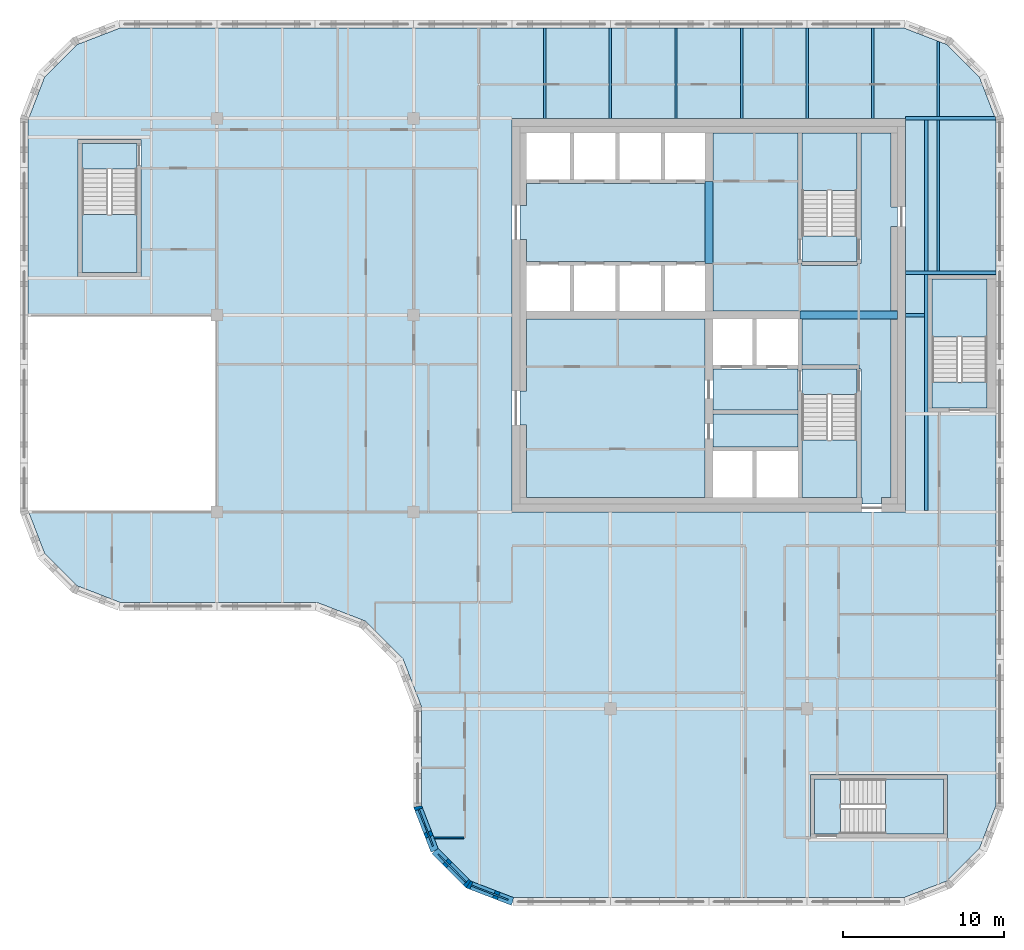
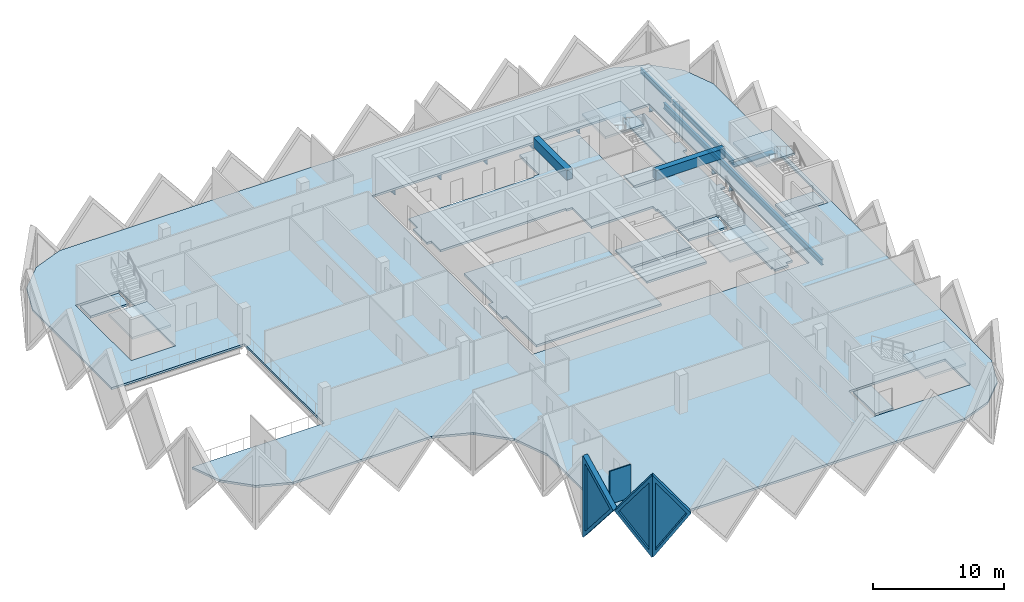
# One storey, part 2 of 11: 15 slabs, 14 beams, 4 walls, 3 plates, 3 openings, 5 elements without a shape of their own.
"""IFC4 building model written with IfcOpenShell, lengths in metres."""

from ifc_helpers import new_model, si_unit, direction, frame, frame_2d, origin, origin_2d, place, context, subcontext, project, spatial, polyline, rectangle, i_section, outline, extrude, faceted_brep, source, transform, mapped, material, layer, layer_set, material_profile, profile_set, type_object, element, fill, aggregate, save


model = new_model("IFC4")

# Units and contexts
model_context = context("Model", 3, precision=1e-05, world=origin(), true_north=direction((0.0, 1.0)))
body_context = subcontext(model_context, "Body", "Model", "MODEL_VIEW")
ifc_project = project(units=[si_unit("LENGTHUNIT", "METRE"), si_unit("AREAUNIT", "SQUARE_METRE"), si_unit("VOLUMEUNIT", "CUBIC_METRE"), si_unit("PLANEANGLEUNIT", "RADIAN"), si_unit("MASSUNIT", "GRAM", prefix="KILO")], contexts=[model_context])

# Site, building, storey
site_placement = place(None, origin())
site = spatial("IfcSite", under=ifc_project, at=site_placement, CompositionType="ELEMENT")
building_placement = place(site_placement, origin())
building = spatial("IfcBuilding", under=site, at=building_placement, Name="Tessera Gate Towers", CompositionType="ELEMENT")
storey_placement = place(building_placement, frame((0.0, 0.0, 201.699951171875)))
storey = spatial("IfcBuildingStorey", under=building, at=storey_placement, Name="L50", CompositionType="ELEMENT", Elevation=201.699951171875)

# Beams
ifc_material_1 = material(Name="Concrete C50/60", Category="concrete")
ifc_material_profile_1 = material_profile(ifc_material_1, rectangle(XDim=0.5, YDim=0.89990234375, at=origin_2d()), Name="RC 500x900")
ifc_profile_set_1 = profile_set([ifc_material_profile_1], Name="Concrete C50/60")
beam_type_1 = type_object("IfcBeamType", Name="COUPLING BEAM 500x900 C50/60", PredefinedType="BEAM", material=ifc_profile_set_1)
beam_1_placement = place(storey_placement, frame((48.35009765625, 36.60009765625, 3.150146484375), z_axis=(1.0, 0.0, 0.0), x_axis=(0.0, 1.0, 0.0)))
element("IfcBeam", 1, at=beam_1_placement, inside=storey, type_object=beam_type_1, Name="L50 coupling beam 1", PredefinedType="BEAM", context=body_context, shape_type="SweptSolid", body=[
    extrude(rectangle(XDim=0.5, YDim=0.89990234375, at=origin_2d()), origin(), (0.0, 0.0, 1.0), 6.0498046875),
])
beam_2_placement = place(storey_placement, frame((42.699951171875, 39.800048828125, 3.150146484375), z_axis=(0.0, 1.0, 0.0), x_axis=(-1.0, 0.0, 0.0)))
element("IfcBeam", 2, at=beam_2_placement, inside=storey, type_object=beam_type_1, Name="L50 coupling beam 2", PredefinedType="BEAM", context=body_context, shape_type="SweptSolid", body=[
    extrude(rectangle(XDim=0.5, YDim=0.89990234375, at=origin_2d()), origin(), (0.0, 0.0, 1.0), 5.099853515625),
])
ifc_material_2 = material(Name="Steel 350W", Category="steel")
ifc_material_profile_2 = material_profile(ifc_material_2, i_section(OverallWidth=0.208984375, OverallDepth=0.532958984375, WebThickness=0.01025390625, FlangeThickness=0.015625, at=origin_2d()), Name="W530x92")
ifc_profile_set_2 = profile_set([ifc_material_profile_2], Name="Steel 350W")
beam_type_2 = type_object("IfcBeamType", Name="FLOOR GIRDER W530x92", PredefinedType="BEAM", material=ifc_profile_set_2)
beam_3_placement = place(storey_placement, frame((54.89892578125, 36.60009765625, -0.466552734375), z_axis=(1.0, 0.0, 0.0), x_axis=(0.0, 1.0, 0.0)))
element("IfcBeam", 3, at=beam_3_placement, inside=storey, type_object=beam_type_2, Name="T1-GD-L50-5266", PredefinedType="BEAM", context=body_context, shape_type="SweptSolid", body=[
    extrude(i_section(OverallWidth=0.208984375, OverallDepth=0.532958984375, WebThickness=0.01025390625, FlangeThickness=0.015625, at=origin_2d()), origin(), (0.0, 0.0, 1.0), 1.176513671875),
])
beam_4_placement = place(storey_placement, frame((54.90087890625, 48.800048828125, -0.466552734375), z_axis=(1.0, 0.0, 0.0), x_axis=(0.0, 1.0, 0.0)))
element("IfcBeam", 4, at=beam_4_placement, inside=storey, type_object=beam_type_2, Name="T1-GD-L50-5270", PredefinedType="BEAM", context=body_context, shape_type="SweptSolid", body=[
    extrude(i_section(OverallWidth=0.208984375, OverallDepth=0.532958984375, WebThickness=0.01025390625, FlangeThickness=0.015625, at=origin_2d()), origin(), (0.0, 0.0, 1.0), 5.564208984375),
])
beam_5_placement = place(storey_placement, frame((54.89892578125, 39.219970703125, -0.466552734375), z_axis=(1.0, 0.0, 0.0), x_axis=(0.0, 1.0, 0.0)))
element("IfcBeam", 5, at=beam_5_placement, inside=storey, type_object=beam_type_2, Name="T1-GD-L50-5288", PredefinedType="BEAM", context=body_context, shape_type="SweptSolid", body=[
    extrude(i_section(OverallWidth=0.208984375, OverallDepth=0.532958984375, WebThickness=0.01025390625, FlangeThickness=0.015625, at=origin_2d()), origin(), (0.0, 0.0, 1.0), 5.60205078125),
])
beam_6_placement = place(storey_placement, frame((56.179931640625, 24.50439453125, -0.466552734375), z_axis=(0.0, 1.0, 0.0), x_axis=(-1.0, 0.0, 0.0)))
element("IfcBeam", 6, at=beam_6_placement, inside=storey, type_object=beam_type_2, Name="T1-GD-L50-5289", PredefinedType="BEAM", context=body_context, shape_type="SweptSolid", body=[
    extrude(i_section(OverallWidth=0.208984375, OverallDepth=0.532958984375, WebThickness=0.01025390625, FlangeThickness=0.015625, at=origin_2d()), origin(), (0.0, 0.0, 1.0), 24.191162109375),
])
ifc_material_3 = material(Name="Steel 350W", Category="steel")
ifc_material_profile_3 = material_profile(ifc_material_3, i_section(OverallWidth=0.153076171875, OverallDepth=0.455078125, WebThickness=0.008056640625, FlangeThickness=0.01318359375, at=origin_2d()), Name="W460x60")
ifc_profile_set_3 = profile_set([ifc_material_profile_3], Name="Steel 350W")
beam_type_3 = type_object("IfcBeamType", Name="FLOOR SECONDARY W460x60", PredefinedType="BEAM", material=ifc_profile_set_3)
for number, where, z_axis, x_axis, name in (
    (7, (32.533203125, 48.800048828125, -0.427490234375), (0.0, 1.0, 0.0), (-1.0, 0.0, 0.0), "T1-BM-L50-5311"),
    (8, (36.60009765625, 48.800048828125, -0.427490234375), (0.0, 1.0, 0.0), (-1.0, 0.0, 0.0), "T1-BM-L50-5312"),
    (9, (40.666748046875, 48.800048828125, -0.427490234375), (0.0, 1.0, 0.0), (-1.0, 0.0, 0.0), "T1-BM-L50-5315"),
    (10, (44.7333984375, 48.800048828125, -0.427490234375), (0.0, 1.0, 0.0), (-1.0, 0.0, 0.0), "T1-BM-L50-5318"),
    (11, (48.800048828125, 48.800048828125, -0.427490234375), (0.0, 1.0, 0.0), (-1.0, 0.0, 0.0), "T1-BM-L50-5319"),
    (12, (52.86669921875, 48.800048828125, -0.427490234375), (0.0, 1.0, 0.0), (-1.0, 0.0, 0.0), "T1-BM-L50-5323"),
):
    element("IfcBeam", number, at=place(storey_placement, frame(where, z_axis=z_axis, x_axis=x_axis)), inside=storey, type_object=beam_type_3, Name=name, PredefinedType="BEAM", context=body_context, shape_type="SweptSolid", body=[
        extrude(i_section(OverallWidth=0.153076171875, OverallDepth=0.455078125, WebThickness=0.008056640625, FlangeThickness=0.01318359375, at=origin_2d()), origin(), (0.0, 0.0, 1.0), 5.599853515625),
    ])
beam_7_placement = place(storey_placement, frame((56.933349609375, 39.324462890625, -0.427490234375), z_axis=(0.0, 1.0, 0.0), x_axis=(-1.0, 0.0, 0.0)))
element("IfcBeam", 13, at=beam_7_placement, inside=storey, type_object=beam_type_3, Name="T1-BM-L50-5328", PredefinedType="BEAM", context=body_context, shape_type="SweptSolid", body=[
    extrude(i_section(OverallWidth=0.153076171875, OverallDepth=0.455078125, WebThickness=0.008056640625, FlangeThickness=0.01318359375, at=origin_2d()), origin(), (0.0, 0.0, 1.0), 9.37109375),
])
beam_8_placement = place(storey_placement, frame((56.933349609375, 48.904541015625, -0.427490234375), z_axis=(0.0, 1.0, 0.0), x_axis=(-1.0, 0.0, 0.0)))
element("IfcBeam", 14, at=beam_8_placement, inside=storey, type_object=beam_type_3, Name="T1-BM-L50-5329", PredefinedType="BEAM", context=body_context, shape_type="SweptSolid", body=[
    extrude(i_section(OverallWidth=0.153076171875, OverallDepth=0.455078125, WebThickness=0.008056640625, FlangeThickness=0.01318359375, at=origin_2d()), origin(), (0.0, 0.0, 1.0), 4.675048828125),
])

# Slabs
ifc_material_4 = material(Name="Concrete C35/45", Category="concrete")
ifc_layer_1 = layer(ifc_material_4, 0.199951171875)
ifc_layer_set_1 = layer_set([ifc_layer_1], Name="COMPOSITE FLOOR 200")
slab_type_1 = type_object("IfcSlabType", Name="COMPOSITE FLOOR 200", PredefinedType="FLOOR", material=ifc_layer_set_1)
slab_1_placement = place(storey_placement, frame((0.0, 0.0, -0.199951171875)))
element("IfcSlab", 15, at=slab_1_placement, inside=storey, type_object=slab_type_1, Name="T1-L50", PredefinedType="FLOOR", context=body_context, shape_type="SweptSolid", body=[
    extrude(outline(polyline([(0.5, 36.60009765625), (12.199951171875, 36.60009765625), (12.199951171875, 24.39990234375), (0.535888671875, 24.39990234375), (1.526123046875, 21.8330078125), (3.533203125, 19.826171875), (6.193115234375, 18.800048828125), (18.39306640625, 18.800048828125), (21.42431640625, 17.630615234375), (23.730712890625, 15.32421875), (24.89990234375, 12.293212890625), (24.89990234375, 6.193115234375), (25.926025390625, 3.533203125), (27.93310546875, 1.526123046875), (30.593017578125, 0.5), (54.806884765625, 0.5), (57.466796875, 1.526123046875), (59.473876953125, 3.533203125), (60.5, 6.193115234375), (60.5, 48.706787109375), (59.473876953125, 51.366943359375), (57.466796875, 53.373779296875), (54.806884765625, 54.39990234375), (6.193115234375, 54.39990234375), (3.533203125, 53.373779296875), (1.526123046875, 51.366943359375), (0.5, 48.706787109375), (0.5, 36.60009765625)]), holes=[polyline([(3.60009765625, 39.0), (3.60009765625, 47.5), (7.5, 47.5), (7.5, 39.0), (3.60009765625, 39.0)]), polyline([(30.5, 24.39990234375), (30.5, 48.800048828125), (54.89990234375, 48.800048828125), (54.89990234375, 24.39990234375), (30.5, 24.39990234375)]), polyline([(49.0, 4.199951171875), (49.0, 8.10009765625), (57.5, 8.10009765625), (57.5, 4.199951171875), (49.0, 4.199951171875)]), polyline([(56.300048828125, 30.60009765625), (56.300048828125, 39.10009765625), (60.199951171875, 39.10009765625), (60.199951171875, 30.60009765625), (56.300048828125, 30.60009765625)])]), origin(), (0.0, 0.0, 1.0), 0.199951171875),
])
ifc_material_5 = material(Name="Concrete C35/45", Category="concrete")
ifc_layer_2 = layer(ifc_material_5, 0.199951171875)
ifc_layer_set_2 = layer_set([ifc_layer_2], Name="CORE FLOOR SLAB 200")
slab_type_2 = type_object("IfcSlabType", Name="CORE FLOOR SLAB 200", PredefinedType="FLOOR", material=ifc_layer_set_2)
slab_2_placement = place(storey_placement, frame((0.0, 0.0, -0.199951171875)))
element("IfcSlab", 16, at=slab_2_placement, inside=storey, type_object=slab_type_2, Name="L50 core floor slab", PredefinedType="FLOOR", context=body_context, shape_type="SweptSolid", body=[
    extrude(outline(polyline([(42.449951171875, 44.89990234375), (42.449951171875, 44.77490234375), (31.39990234375, 44.77490234375), (31.39990234375, 43.39990234375), (31.0, 43.39990234375), (31.0, 41.300048828125), (31.39990234375, 41.300048828125), (31.39990234375, 39.925048828125), (42.449951171875, 39.925048828125), (42.449951171875, 39.800048828125), (42.949951171875, 39.800048828125), (42.949951171875, 36.85009765625), (48.35009765625, 36.85009765625), (48.35009765625, 36.35009765625), (48.47509765625, 36.35009765625), (48.47509765625, 33.52490234375), (52.0, 33.52490234375), (52.0, 33.27490234375), (52.125, 33.27490234375), (52.125, 25.300048828125), (52.199951171875, 25.300048828125), (52.199951171875, 24.89990234375), (53.39990234375, 24.89990234375), (53.39990234375, 25.300048828125), (54.0, 25.300048828125), (54.0, 36.320068359375), (54.39990234375, 36.320068359375), (54.39990234375, 36.8798828125), (54.0, 36.8798828125), (54.0, 42.10009765625), (54.39990234375, 42.10009765625), (54.39990234375, 43.300048828125), (54.0, 43.300048828125), (54.0, 47.89990234375), (52.125, 47.89990234375), (52.125, 39.800048828125), (51.875, 39.800048828125), (51.875, 39.675048828125), (48.47509765625, 39.675048828125), (48.47509765625, 39.800048828125), (48.22509765625, 39.800048828125), (48.22509765625, 47.89990234375), (42.949951171875, 47.89990234375), (42.949951171875, 44.89990234375), (42.449951171875, 44.89990234375)])), origin(), (0.0, 0.0, 1.0), 0.199951171875),
])
slab_3_placement = place(storey_placement, frame((0.0, 0.0, -0.199951171875)))
element("IfcSlab", 17, at=slab_3_placement, inside=storey, type_object=slab_type_2, Name="L50 core floor slab", PredefinedType="FLOOR", context=body_context, shape_type="SweptSolid", body=[
    extrude(outline(polyline([(31.39990234375, 36.35009765625), (31.39990234375, 31.89990234375), (31.0, 31.89990234375), (31.0, 29.800048828125), (31.39990234375, 29.800048828125), (31.39990234375, 25.300048828125), (42.449951171875, 25.300048828125), (42.449951171875, 36.35009765625), (31.39990234375, 36.35009765625)])), origin(), (0.0, 0.0, 1.0), 0.199951171875),
])
slab_4_placement = place(storey_placement, frame((0.0, 0.0, -0.199951171875)))
element("IfcSlab", 18, at=slab_4_placement, inside=storey, type_object=slab_type_2, Name="L50 core floor slab", PredefinedType="FLOOR", context=body_context, shape_type="SweptSolid", body=[
    extrude(outline(polyline([(42.949951171875, 33.27490234375), (42.949951171875, 30.72509765625), (48.22509765625, 30.72509765625), (48.22509765625, 33.27490234375), (42.949951171875, 33.27490234375)])), origin(), (0.0, 0.0, 1.0), 0.199951171875),
])
slab_5_placement = place(storey_placement, frame((0.0, 0.0, -0.199951171875)))
element("IfcSlab", 19, at=slab_5_placement, inside=storey, type_object=slab_type_2, Name="L50 core floor slab", PredefinedType="FLOOR", context=body_context, shape_type="SweptSolid", body=[
    extrude(outline(polyline([(48.22509765625, 30.47509765625), (42.949951171875, 30.47509765625), (42.949951171875, 28.425048828125), (48.22509765625, 28.425048828125), (48.22509765625, 30.47509765625)])), origin(), (0.0, 0.0, 1.0), 0.199951171875),
])
slab_6_placement = place(storey_placement, frame((0.0, 0.0, -0.199951171875)))
element("IfcSlab", 20, at=slab_6_placement, inside=storey, type_object=slab_type_2, Name="L50 core floor slab", PredefinedType="FLOOR", context=body_context, shape_type="SweptSolid", body=[
    extrude(outline(polyline([(51.875, 31.675048828125), (51.875, 33.27490234375), (48.47509765625, 33.27490234375), (48.47509765625, 31.675048828125), (51.875, 31.675048828125)])), origin(), (0.0, 0.0, 1.0), 0.199951171875),
])
slab_7_placement = place(storey_placement, frame((0.0, 0.0, -0.199951171875)))
element("IfcSlab", 21, at=slab_7_placement, inside=storey, type_object=slab_type_2, Name="L50 core floor slab", PredefinedType="FLOOR", context=body_context, shape_type="SweptSolid", body=[
    extrude(outline(polyline([(48.47509765625, 41.52490234375), (48.47509765625, 39.925048828125), (51.875, 39.925048828125), (51.875, 41.52490234375), (48.47509765625, 41.52490234375)])), origin(), (0.0, 0.0, 1.0), 0.199951171875),
])
slab_8_placement = place(storey_placement, frame((0.0, 0.0, -0.199951171875)))
element("IfcSlab", 22, at=slab_8_placement, inside=storey, type_object=slab_type_2, Name="L50 ST3 floor landing", PredefinedType="FLOOR", context=body_context, shape_type="SweptSolid", body=[
    extrude(outline(polyline([(3.85009765625, 47.25), (3.85009765625, 45.64990234375), (7.25, 45.64990234375), (7.25, 47.25), (3.85009765625, 47.25)])), origin(), (0.0, 0.0, 1.0), 0.199951171875),
])
slab_9_placement = place(storey_placement, frame((0.0, 0.0, -0.199951171875)))
element("IfcSlab", 23, at=slab_9_placement, inside=storey, type_object=slab_type_2, Name="L50 ST4 floor landing", PredefinedType="FLOOR", context=body_context, shape_type="SweptSolid", body=[
    extrude(outline(polyline([(49.25, 4.449951171875), (50.85009765625, 4.449951171875), (50.85009765625, 7.85009765625), (49.25, 7.85009765625), (49.25, 4.449951171875)])), origin(), (0.0, 0.0, 1.0), 0.199951171875),
])
slab_10_placement = place(storey_placement, frame((0.0, 0.0, -0.199951171875)))
element("IfcSlab", 24, at=slab_10_placement, inside=storey, type_object=slab_type_2, Name="L50 ST5 floor landing", PredefinedType="FLOOR", context=body_context, shape_type="SweptSolid", body=[
    extrude(outline(polyline([(59.949951171875, 30.85009765625), (59.949951171875, 32.449951171875), (56.550048828125, 32.449951171875), (56.550048828125, 30.85009765625), (59.949951171875, 30.85009765625)])), origin(), (0.0, 0.0, 1.0), 0.199951171875),
])

# Stair, slab
ifc_material_6 = material(Name="Concrete C40/50", Category="concrete")
stair_type_1 = type_object("IfcStairType", Name="EXIT STAIR ST1 1600", PredefinedType="HALF_TURN_STAIR", material=ifc_material_6)
stair_1_placement = place(storey_placement, origin())
stair_1 = element("IfcStair", 25, at=stair_1_placement, inside=storey, type_object=stair_type_1, Name="L50 Protected Exit Stair ST1", PredefinedType="HALF_TURN_STAIR")
ifc_material_7 = material(Name="Concrete C40/50", Category="concrete")
ifc_layer_3 = layer(ifc_material_7, 0.199951171875)
ifc_layer_set_3 = layer_set([ifc_layer_3], Name="EXIT STAIR LANDING 200")
slab_type_3 = type_object("IfcSlabType", Name="EXIT STAIR LANDING 200", PredefinedType="LANDING", material=ifc_layer_set_3)
slab_11_placement = place(storey_placement, frame((0.0, 0.0, 1.699951171875)))
slab_11 = element("IfcSlab", 26, at=slab_11_placement, type_object=slab_type_3, Name="ST1 landing 1", PredefinedType="LANDING", context=body_context, shape_type="SweptSolid", body=[
    extrude(outline(polyline([(48.47509765625, 28.875), (48.47509765625, 25.300048828125), (51.875, 25.300048828125), (51.875, 28.875), (48.47509765625, 28.875)])), origin(), (0.0, 0.0, 1.0), 0.2001953125),
])
aggregate(stair_1, [slab_11])

ifc_material_8 = material(Name="Concrete C40/50", Category="concrete")
stair_type_2 = type_object("IfcStairType", Name="EXIT STAIR ST2 1600", PredefinedType="HALF_TURN_STAIR", material=ifc_material_8)
stair_2_placement = place(storey_placement, origin())
stair_2 = element("IfcStair", 27, at=stair_2_placement, inside=storey, type_object=stair_type_2, Name="L50 Protected Exit Stair ST2", PredefinedType="HALF_TURN_STAIR")
slab_12_placement = place(storey_placement, frame((0.0, 0.0, 1.699951171875)))
slab_12 = element("IfcSlab", 28, at=slab_12_placement, type_object=slab_type_3, Name="ST2 landing 1", PredefinedType="LANDING", context=body_context, shape_type="SweptSolid", body=[
    extrude(outline(polyline([(51.875, 44.324951171875), (51.875, 47.89990234375), (48.47509765625, 47.89990234375), (48.47509765625, 44.324951171875), (51.875, 44.324951171875)])), origin(), (0.0, 0.0, 1.0), 0.2001953125),
])
aggregate(stair_2, [slab_12])

ifc_material_9 = material(Name="Concrete C40/50", Category="concrete")
stair_type_3 = type_object("IfcStairType", Name="EXIT STAIR ST3 1600", PredefinedType="HALF_TURN_STAIR", material=ifc_material_9)
stair_3_placement = place(storey_placement, origin())
stair_3 = element("IfcStair", 29, at=stair_3_placement, inside=storey, type_object=stair_type_3, Name="L50 West Exit Stair ST3", PredefinedType="HALF_TURN_STAIR")
slab_13_placement = place(storey_placement, frame((0.0, 0.0, 1.699951171875)))
slab_13 = element("IfcSlab", 30, at=slab_13_placement, type_object=slab_type_3, Name="ST3 landing 1", PredefinedType="LANDING", context=body_context, shape_type="SweptSolid", body=[
    extrude(outline(polyline([(3.85009765625, 42.85009765625), (3.85009765625, 39.25), (7.25, 39.25), (7.25, 42.85009765625), (3.85009765625, 42.85009765625)])), origin(), (0.0, 0.0, 1.0), 0.2001953125),
])
aggregate(stair_3, [slab_13])

ifc_material_10 = material(Name="Concrete C40/50", Category="concrete")
stair_type_4 = type_object("IfcStairType", Name="EXIT STAIR ST4 1600", PredefinedType="HALF_TURN_STAIR", material=ifc_material_10)
stair_4_placement = place(storey_placement, origin())
stair_4 = element("IfcStair", 31, at=stair_4_placement, inside=storey, type_object=stair_type_4, Name="L50 South Exit Stair ST4", PredefinedType="HALF_TURN_STAIR")
slab_14_placement = place(storey_placement, frame((0.0, 0.0, 1.699951171875)))
slab_14 = element("IfcSlab", 32, at=slab_14_placement, type_object=slab_type_3, Name="ST4 landing 1", PredefinedType="LANDING", context=body_context, shape_type="SweptSolid", body=[
    extrude(outline(polyline([(53.64990234375, 4.449951171875), (57.25, 4.449951171875), (57.25, 7.85009765625), (53.64990234375, 7.85009765625), (53.64990234375, 4.449951171875)])), origin(), (0.0, 0.0, 1.0), 0.2001953125),
])
aggregate(stair_4, [slab_14])

ifc_material_11 = material(Name="Concrete C40/50", Category="concrete")
stair_type_5 = type_object("IfcStairType", Name="EXIT STAIR ST5 1600", PredefinedType="HALF_TURN_STAIR", material=ifc_material_11)
stair_5_placement = place(storey_placement, origin())
stair_5 = element("IfcStair", 33, at=stair_5_placement, inside=storey, type_object=stair_type_5, Name="L50 East Exit Stair ST5", PredefinedType="HALF_TURN_STAIR")
slab_15_placement = place(storey_placement, frame((0.0, 0.0, 1.699951171875)))
slab_15 = element("IfcSlab", 34, at=slab_15_placement, type_object=slab_type_3, Name="ST5 landing 1", PredefinedType="LANDING", context=body_context, shape_type="SweptSolid", body=[
    extrude(outline(polyline([(59.949951171875, 35.25), (59.949951171875, 38.85009765625), (56.550048828125, 38.85009765625), (56.550048828125, 35.25), (59.949951171875, 35.25)])), origin(), (0.0, 0.0, 1.0), 0.2001953125),
])
aggregate(stair_5, [slab_15])

# Wall
ifc_material_12 = material(Name="Glass", Category="glass")
ifc_layer_4 = layer(ifc_material_12, 0.10009765625)
ifc_layer_set_4 = layer_set([ifc_layer_4], Name="GLAZED PARTITION 100")
wall_type_1 = type_object("IfcWallType", Name="GLAZED PARTITION 100", PredefinedType="PARTITIONING", material=ifc_layer_set_4)
wall_1_placement = place(storey_placement, frame((25.668701171875, 4.199951171875, 0.0), z_axis=(0.0, 0.0, 1.0), x_axis=(1.0, 0.0, 0.0)))
element("IfcWall", 35, at=wall_1_placement, inside=storey, type_object=wall_type_1, Name="T1-L50-PW-003", PredefinedType="PARTITIONING", context=body_context, shape_type="SweptSolid", body=[
    extrude(rectangle(XDim=1.855224609375, YDim=0.10009765625, at=frame_2d((0.927734375, 0.0))), origin(), (0.0, 0.0, 1.0), 3.067138671875),
])

# Wall, opening, plate
ifc_material_13 = material(Name="Precast concrete C60/75 white", Category="concrete")
ifc_layer_5 = layer(ifc_material_13, 0.5)
ifc_layer_set_5 = layer_set([ifc_layer_5], Name="TS3 corner tessera")
wall_type_2 = type_object("IfcWallType", Name="TS3 corner tessera", PredefinedType="SOLIDWALL", material=ifc_layer_set_5)
shared_shape_1 = source(origin(), body_context, "Body", "Brep", [
    faceted_brep([(0.046630859375, -0.25, 0.0), (2.9970703125, -0.25, 3.800048828125), (0.046630859375, -0.25, 7.60009765625), (0.0, -0.25, 7.541259765625), (0.0, -0.25, 0.058837890625), (0.09326171875, 0.25, 7.5400390625), (2.9443359375, 0.25, 3.8681640625), (2.9443359375, 0.25, 3.73193359375), (0.09326171875, 0.25, 0.06005859375), (2.9970703125, 0.00048828125, 3.800048828125), (0.046630859375, 0.0, 0.0), (0.046630859375, 0.0, 7.60009765625)], [[[0, 1, 2, 3, 4]], [[5, 6, 7, 8]], [[8, 7, 9, 1, 0, 10]], [[6, 5, 11, 2, 1, 9]], [[3, 2, 11]], [[10, 0, 4]], [[8, 10, 4, 3, 11, 5]], [[9, 7, 6]]]),
])
wall_2_placement = place(storey_placement, frame((24.63330078125, 6.18994140625, -3.800048828125), z_axis=(0.0, 0.0, 1.0), x_axis=(0.359901446078, -0.932990326376, 0.0)))
wall_2 = element("IfcWall", 36, at=wall_2_placement, inside=storey, type_object=wall_type_2, Name="Precast corner tessera T1 TS3-1174", PredefinedType="SOLIDWALL", context=body_context, shape_type="MappedRepresentation", body=[
    mapped(shared_shape_1, transform((0.0, 0.0, 0.0), scale=1.0)),
])
shared_shape_2 = source(origin(), body_context, "Body", "SweptSolid", [
    extrude(outline(polyline([(0.24658203125, 0.665283203125), (2.6806640625, 3.800048828125), (0.24658203125, 6.934814453125), (0.24658203125, 0.665283203125)])), frame((0.0, 0.260009765625, 0.0), z_axis=(0.0, -1.0, 0.0), x_axis=(1.0, 0.0, 0.0)), (0.0, 0.0, 1.0), 0.52001953125),
])
opening_1_placement = place(wall_2_placement, origin())
opening_1 = element("IfcOpeningElement", 37, at=opening_1_placement, cuts=wall_2, Name="Opening T1-PL2-1783", PredefinedType="OPENING", context=body_context, shape_type="MappedRepresentation", body=[
    mapped(shared_shape_2, transform((0.0, 0.0, 0.0), scale=1.0)),
])
ifc_material_14 = material(Name="Low-e laminated glass", Category="glass")
ifc_layer_6 = layer(ifc_material_14, 0.06005859375)
ifc_layer_set_6 = layer_set([ifc_layer_6], Name="PL2 rhombic pane")
plate_type = type_object("IfcPlateType", Name="PL2 rhombic pane", PredefinedType="SHEET", material=ifc_layer_set_6)
shared_shape_3 = source(origin(), body_context, "Body", "SweptSolid", [
    extrude(outline(polyline([(0.24658203125, 0.665283203125), (2.6806640625, 3.800048828125), (0.24658203125, 6.934814453125), (0.24658203125, 0.665283203125)])), frame((0.0, 0.030029296875, 0.0), z_axis=(0.0, -1.0, 0.0), x_axis=(1.0, 0.0, 0.0)), (0.0, 0.0, 1.0), 0.06005859375),
])
plate_1_placement = place(opening_1_placement, origin())
plate_1 = element("IfcPlate", 38, at=plate_1_placement, inside=storey, type_object=plate_type, Name="Glass pane T1 PL2-1783", PredefinedType="SHEET", context=body_context, shape_type="MappedRepresentation", body=[
    mapped(shared_shape_3, transform((0.0, 0.0, 0.0), scale=1.0)),
])
fill(opening_1, plate_1)

shared_shape_4 = source(origin(), body_context, "Body", "Brep", [
    faceted_brep([(0.052978515625, -0.25, 0.0), (3.00341796875, -0.25, 3.800048828125), (0.052978515625, -0.25, 7.60009765625), (0.0, -0.25, 7.53173828125), (0.0, -0.25, 0.068359375), (0.10595703125, 0.25, 7.531982421875), (2.95703125, 0.25, 3.85986328125), (2.95703125, 0.25, 3.740234375), (0.10595703125, 0.25, 0.068115234375), (3.00341796875, 0.00048828125, 3.800048828125), (0.052978515625, 0.0, 0.0), (0.052978515625, 0.0, 7.60009765625)], [[[0, 1, 2, 3, 4]], [[5, 6, 7, 8]], [[8, 7, 9, 1, 0, 10]], [[6, 5, 11, 2, 1, 9]], [[3, 2, 11]], [[10, 0, 4]], [[8, 10, 4, 3, 11, 5]], [[9, 7, 6]]]),
])
wall_3_placement = place(storey_placement, frame((27.744384765625, 1.3310546875, -3.800048828125), z_axis=(0.0, 0.0, 1.0), x_axis=(0.932970071518, -0.359953949349, 0.0)))
wall_3 = element("IfcWall", 39, at=wall_3_placement, inside=storey, type_object=wall_type_2, Name="Precast corner tessera T1 TS3-1176", PredefinedType="SOLIDWALL", context=body_context, shape_type="MappedRepresentation", body=[
    mapped(shared_shape_4, transform((0.0, 0.0, 0.0), scale=1.0)),
])
shared_shape_5 = source(origin(), body_context, "Body", "SweptSolid", [
    extrude(outline(polyline([(0.2529296875, 0.665283203125), (2.68701171875, 3.800048828125), (0.2529296875, 6.934814453125), (0.2529296875, 0.665283203125)])), frame((0.0, 0.260009765625, 0.0), z_axis=(0.0, -1.0, 0.0), x_axis=(1.0, 0.0, 0.0)), (0.0, 0.0, 1.0), 0.52001953125),
])
opening_2_placement = place(wall_3_placement, origin())
opening_2 = element("IfcOpeningElement", 40, at=opening_2_placement, cuts=wall_3, Name="Opening T1-PL2-1785", PredefinedType="OPENING", context=body_context, shape_type="MappedRepresentation", body=[
    mapped(shared_shape_5, transform((0.0, 0.0, 0.0), scale=1.0)),
])
shared_shape_6 = source(origin(), body_context, "Body", "SweptSolid", [
    extrude(outline(polyline([(0.2529296875, 0.665283203125), (2.68701171875, 3.800048828125), (0.2529296875, 6.934814453125), (0.2529296875, 0.665283203125)])), frame((0.0, 0.030029296875, 0.0), z_axis=(0.0, -1.0, 0.0), x_axis=(1.0, 0.0, 0.0)), (0.0, 0.0, 1.0), 0.06005859375),
])
plate_2_placement = place(opening_2_placement, origin())
plate_2 = element("IfcPlate", 41, at=plate_2_placement, inside=storey, type_object=plate_type, Name="Glass pane T1 PL2-1785", PredefinedType="SHEET", context=body_context, shape_type="MappedRepresentation", body=[
    mapped(shared_shape_6, transform((0.0, 0.0, 0.0), scale=1.0)),
])
fill(opening_2, plate_2)

shared_shape_7 = source(origin(), body_context, "Body", "Brep", [
    faceted_brep([(2.944091796875, -0.25, 0.0), (2.9970703125, -0.25, 0.068115234375), (2.9970703125, -0.25, 7.531982421875), (2.944091796875, -0.25, 7.60009765625), (0.0, -0.25, 3.800048828125), (0.052978515625, 0.25, 3.868408203125), (2.89111328125, 0.25, 7.531982421875), (2.89111328125, 0.25, 0.068115234375), (0.052978515625, 0.25, 3.731689453125), (2.944091796875, 0.000244140625, 0.0), (2.944091796875, 0.000244140625, 7.60009765625), (0.0, 0.0, 3.800048828125)], [[[0, 1, 2, 3, 4]], [[5, 6, 7, 8]], [[1, 0, 9]], [[10, 3, 2]], [[6, 5, 11, 4, 3, 10]], [[8, 7, 9, 0, 4, 11]], [[8, 11, 5]], [[1, 9, 7, 6, 10, 2]]]),
])
wall_4_placement = place(storey_placement, frame((25.7119140625, 3.393798828125, -3.800048828125), z_axis=(0.0, 0.0, 1.0), x_axis=(0.707066050402, -0.707147509625, 0.0)))
wall_4 = element("IfcWall", 42, at=wall_4_placement, inside=storey, type_object=wall_type_2, Name="Precast corner tessera T1 TS3-1175", PredefinedType="SOLIDWALL", context=body_context, shape_type="MappedRepresentation", body=[
    mapped(shared_shape_7, transform((0.0, 0.0, 0.0), scale=1.0)),
])
shared_shape_8 = source(origin(), body_context, "Body", "SweptSolid", [
    extrude(outline(polyline([(2.744140625, 6.933837890625), (0.316162109375, 3.800048828125), (2.744140625, 0.66650390625), (2.744140625, 6.933837890625)])), frame((0.0, 0.260009765625, 0.0), z_axis=(0.0, -1.0, 0.0), x_axis=(1.0, 0.0, 0.0)), (0.0, 0.0, 1.0), 0.52001953125),
])
opening_3_placement = place(wall_4_placement, origin())
opening_3 = element("IfcOpeningElement", 43, at=opening_3_placement, cuts=wall_4, Name="Opening T1-PL2-1784", PredefinedType="OPENING", context=body_context, shape_type="MappedRepresentation", body=[
    mapped(shared_shape_8, transform((0.0, 0.0, 0.0), scale=1.0)),
])
shared_shape_9 = source(origin(), body_context, "Body", "SweptSolid", [
    extrude(outline(polyline([(2.744140625, 6.933837890625), (0.316162109375, 3.800048828125), (2.744140625, 0.66650390625), (2.744140625, 6.933837890625)])), frame((0.0, 0.030029296875, 0.0), z_axis=(0.0, -1.0, 0.0), x_axis=(1.0, 0.0, 0.0)), (0.0, 0.0, 1.0), 0.06005859375),
])
plate_3_placement = place(opening_3_placement, origin())
plate_3 = element("IfcPlate", 44, at=plate_3_placement, inside=storey, type_object=plate_type, Name="Glass pane T1 PL2-1784", PredefinedType="SHEET", context=body_context, shape_type="MappedRepresentation", body=[
    mapped(shared_shape_9, transform((0.0, 0.0, 0.0), scale=1.0)),
])
fill(opening_3, plate_3)

save(model, "model.ifc")
